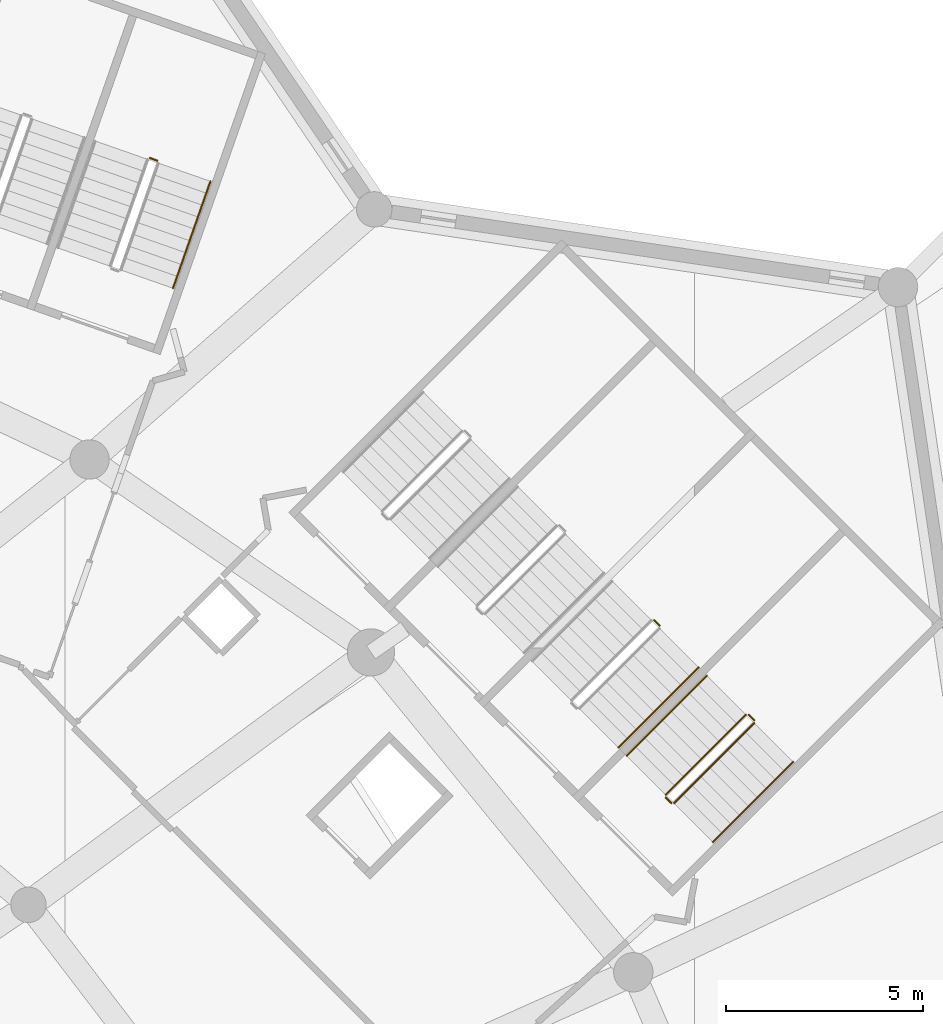
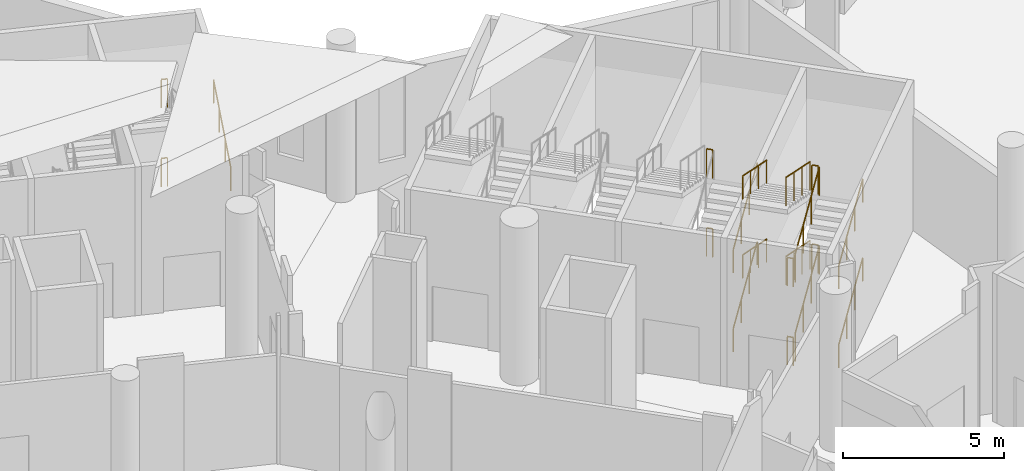
# One storey, part 249 of 249: 19 railings.
"""IFC4 building model written with IfcOpenShell, lengths in metres."""

from ifc_helpers import new_model, si_unit, direction, frame, origin, origin_2d, place, context, subcontext, project, spatial, circle, extrude, material, type_object, element, save


model = new_model("IFC4")

# Units and contexts
model_context = context("Model", 3, precision=1e-05, world=origin(), true_north=direction((0.0, 1.0)))
body_context = subcontext(model_context, "Body", "Model", "MODEL_VIEW")
ifc_project = project(units=[si_unit("LENGTHUNIT", "METRE"), si_unit("AREAUNIT", "SQUARE_METRE"), si_unit("VOLUMEUNIT", "CUBIC_METRE"), si_unit("PLANEANGLEUNIT", "RADIAN"), si_unit("MASSUNIT", "GRAM", prefix="KILO")], contexts=[model_context])

# Site, building, storey
site_placement = place(None, origin())
site = spatial("IfcSite", under=ifc_project, at=site_placement, CompositionType="ELEMENT")
building_placement = place(site_placement, origin())
building = spatial("IfcBuilding", under=site, at=building_placement, Name="Meseta Stadium", CompositionType="ELEMENT")
storey_placement = place(building_placement, frame((0.0, 0.0, 12.0)))
storey = spatial("IfcBuildingStorey", under=building, at=storey_placement, Name="L02", CompositionType="ELEMENT", Elevation=12.0)

# Railings
ifc_material_1 = material(Name="Steel S355", Category="steel")
railing_type_1 = type_object("IfcRailingType", Name="Stair guard 1100", PredefinedType="GUARDRAIL", material=ifc_material_1)
railing_1_placement = place(storey_placement, frame((79.4814453125, 76.056884765625, 0.14990234375)))
element("IfcRailing", 1, at=railing_1_placement, inside=storey, type_object=railing_type_1, Name="ST25 L02 guard 1", PredefinedType="GUARDRAIL", context=body_context, shape_type="SweptSolid", body=[
    extrude(circle(Radius=0.02392578125, at=origin_2d()), frame((0.0, 0.0, 1.076171875), z_axis=(0.640287970486, 0.640211215754, 0.424453665402), x_axis=(-0.707064395047, 0.707149164786, 0.0)), (0.0, 0.0, 1.0), 3.180908203125),
    extrude(circle(Radius=0.02099609375, at=origin_2d()), origin(), (0.0, 0.0, 1.0), 1.052001953125),
    extrude(circle(Radius=0.02099609375, at=origin_2d()), frame((0.678955078125, 0.6787109375, 0.449951171875)), (0.0, 0.0, 1.0), 1.052001953125),
    extrude(circle(Radius=0.02099609375, at=origin_2d()), frame((1.357666015625, 1.357666015625, 0.900146484375)), (0.0, 0.0, 1.0), 1.052001953125),
    extrude(circle(Radius=0.02099609375, at=origin_2d()), frame((2.03662109375, 2.036376953125, 1.35009765625)), (0.0, 0.0, 1.0), 1.052001953125),
])
railing_2_placement = place(storey_placement, frame((81.51806640625, 78.1640625, 1.5)))
element("IfcRailing", 2, at=railing_2_placement, inside=storey, type_object=railing_type_1, Name="ST25 L02 guard 2", PredefinedType="GUARDRAIL", context=body_context, shape_type="SweptSolid", body=[
    extrude(circle(Radius=0.02392578125, at=origin_2d()), frame((0.0, 0.0, 1.076171875), z_axis=(-0.707716618519, 0.706496417452, 0.0), x_axis=(-0.706496417452, -0.707716618519, 0.0)), (0.0, 0.0, 1.0), 0.2001953125),
    extrude(circle(Radius=0.02099609375, at=origin_2d()), origin(), (0.0, 0.0, 1.0), 1.052001953125),
    extrude(circle(Radius=0.02099609375, at=origin_2d()), frame((-0.1416015625, 0.141357421875, 0.0)), (0.0, 0.0, 1.0), 1.052001953125),
])
railing_3_placement = place(storey_placement, frame((81.305908203125, 78.305419921875, 1.64990234375)))
element("IfcRailing", 3, at=railing_3_placement, inside=storey, type_object=railing_type_1, Name="ST25 L02 guard 3", PredefinedType="GUARDRAIL", context=body_context, shape_type="SweptSolid", body=[
    extrude(circle(Radius=0.02392578125, at=origin_2d()), frame((0.0, 0.0, 1.076171875), z_axis=(-0.640287970486, -0.640211215754, 0.424453665402), x_axis=(0.707064395047, -0.707149164786, 0.0)), (0.0, 0.0, 1.0), 3.180908203125),
    extrude(circle(Radius=0.02099609375, at=origin_2d()), origin(), (0.0, 0.0, 1.0), 1.052001953125),
    extrude(circle(Radius=0.02099609375, at=origin_2d()), frame((-0.678955078125, -0.6787109375, 0.449951171875)), (0.0, 0.0, 1.0), 1.052001953125),
    extrude(circle(Radius=0.02099609375, at=origin_2d()), frame((-1.357666015625, -1.357666015625, 0.900146484375)), (0.0, 0.0, 1.0), 1.052001953125),
    extrude(circle(Radius=0.02099609375, at=origin_2d()), frame((-2.03662109375, -2.036376953125, 1.35009765625)), (0.0, 0.0, 1.0), 1.052001953125),
])
railing_4_placement = place(storey_placement, frame((79.410888671875, 76.056884765625, 3.0)))
element("IfcRailing", 4, at=railing_4_placement, inside=storey, type_object=railing_type_1, Name="ST25 L02 guard 4", PredefinedType="GUARDRAIL", context=body_context, shape_type="SweptSolid", body=[
    extrude(circle(Radius=0.02392578125, at=origin_2d()), frame((0.0, 0.0, 1.076171875), z_axis=(-0.707716618519, 0.706496417452, 0.0), x_axis=(-0.706496417452, -0.707716618519, 0.0)), (0.0, 0.0, 1.0), 0.2001953125),
    extrude(circle(Radius=0.02099609375, at=origin_2d()), origin(), (0.0, 0.0, 1.0), 1.052001953125),
    extrude(circle(Radius=0.02099609375, at=origin_2d()), frame((-0.1416015625, 0.141357421875, 0.0)), (0.0, 0.0, 1.0), 1.052001953125),
])
railing_5_placement = place(storey_placement, frame((79.4814453125, 76.056884765625, 3.14990234375)))
element("IfcRailing", 5, at=railing_5_placement, inside=storey, type_object=railing_type_1, Name="ST25 L02 guard 5", PredefinedType="GUARDRAIL", context=body_context, shape_type="SweptSolid", body=[
    extrude(circle(Radius=0.02392578125, at=origin_2d()), frame((0.0, 0.0, 1.076171875), z_axis=(0.640287970486, 0.640211215754, 0.424453665402), x_axis=(-0.707064395047, 0.707149164786, 0.0)), (0.0, 0.0, 1.0), 3.180908203125),
    extrude(circle(Radius=0.02099609375, at=origin_2d()), origin(), (0.0, 0.0, 1.0), 1.052001953125),
    extrude(circle(Radius=0.02099609375, at=origin_2d()), frame((0.678955078125, 0.6787109375, 0.449951171875)), (0.0, 0.0, 1.0), 1.052001953125),
    extrude(circle(Radius=0.02099609375, at=origin_2d()), frame((1.357666015625, 1.357666015625, 0.900146484375)), (0.0, 0.0, 1.0), 1.052001953125),
    extrude(circle(Radius=0.02099609375, at=origin_2d()), frame((2.03662109375, 2.036376953125, 1.35009765625)), (0.0, 0.0, 1.0), 1.052001953125),
])
railing_6_placement = place(storey_placement, frame((81.51806640625, 78.1640625, 4.5)))
element("IfcRailing", 6, at=railing_6_placement, inside=storey, type_object=railing_type_1, Name="ST25 L02 guard 6", PredefinedType="GUARDRAIL", context=body_context, shape_type="SweptSolid", body=[
    extrude(circle(Radius=0.02392578125, at=origin_2d()), frame((0.0, 0.0, 1.076171875), z_axis=(-0.707716618519, 0.706496417452, 0.0), x_axis=(-0.706496417452, -0.707716618519, 0.0)), (0.0, 0.0, 1.0), 0.2001953125),
    extrude(circle(Radius=0.02099609375, at=origin_2d()), origin(), (0.0, 0.0, 1.0), 1.052001953125),
    extrude(circle(Radius=0.02099609375, at=origin_2d()), frame((-0.1416015625, 0.141357421875, 0.0)), (0.0, 0.0, 1.0), 1.052001953125),
])
railing_7_placement = place(storey_placement, frame((81.305908203125, 78.305419921875, 4.64990234375)))
element("IfcRailing", 7, at=railing_7_placement, inside=storey, type_object=railing_type_1, Name="ST25 L02 guard 7", PredefinedType="GUARDRAIL", context=body_context, shape_type="SweptSolid", body=[
    extrude(circle(Radius=0.02392578125, at=origin_2d()), frame((0.0, 0.0, 1.076171875), z_axis=(-0.640287970486, -0.640211215754, 0.424453665402), x_axis=(0.707064395047, -0.707149164786, 0.0)), (0.0, 0.0, 1.0), 3.180908203125),
    extrude(circle(Radius=0.02099609375, at=origin_2d()), origin(), (0.0, 0.0, 1.0), 1.052001953125),
    extrude(circle(Radius=0.02099609375, at=origin_2d()), frame((-0.678955078125, -0.6787109375, 0.449951171875)), (0.0, 0.0, 1.0), 1.052001953125),
    extrude(circle(Radius=0.02099609375, at=origin_2d()), frame((-1.357666015625, -1.357666015625, 0.900146484375)), (0.0, 0.0, 1.0), 1.052001953125),
    extrude(circle(Radius=0.02099609375, at=origin_2d()), frame((-2.03662109375, -2.036376953125, 1.35009765625)), (0.0, 0.0, 1.0), 1.052001953125),
])
railing_8_placement = place(storey_placement, frame((79.410888671875, 76.056884765625, 0.0)))
element("IfcRailing", 8, at=railing_8_placement, inside=storey, type_object=railing_type_1, Name="ST25 L02 guard 8", PredefinedType="GUARDRAIL", context=body_context, shape_type="SweptSolid", body=[
    extrude(circle(Radius=0.02392578125, at=origin_2d()), frame((0.0, 0.0, 1.076171875), z_axis=(-0.707716618519, 0.706496417452, 0.0), x_axis=(-0.706496417452, -0.707716618519, 0.0)), (0.0, 0.0, 1.0), 0.2001953125),
    extrude(circle(Radius=0.02099609375, at=origin_2d()), origin(), (0.0, 0.0, 1.0), 1.052001953125),
    extrude(circle(Radius=0.02099609375, at=origin_2d()), frame((-0.1416015625, 0.141357421875, 0.0)), (0.0, 0.0, 1.0), 1.052001953125),
])
for number, where, name in (
    (9, (79.11376953125, 80.568115234375, 1.5), "ST26 L02 guard 2"),
    (10, (79.11376953125, 80.568115234375, 4.5), "ST26 L02 guard 6"),
):
    element("IfcRailing", number, at=place(storey_placement, frame(where)), inside=storey, type_object=railing_type_1, Name=name, PredefinedType="GUARDRAIL", context=body_context, shape_type="SweptSolid", body=[
        extrude(circle(Radius=0.02392578125, at=origin_2d()), frame((0.0, 0.0, 1.076171875), z_axis=(-0.706496417452, 0.707716618519, 0.0), x_axis=(-0.707716618519, -0.706496417452, 0.0)), (0.0, 0.0, 1.0), 0.2001953125),
        extrude(circle(Radius=0.02099609375, at=origin_2d()), origin(), (0.0, 0.0, 1.0), 1.052001953125),
        extrude(circle(Radius=0.02099609375, at=origin_2d()), frame((-0.141357421875, 0.1416015625, 0.0)), (0.0, 0.0, 1.0), 1.052001953125),
    ])
for number, where, name in (
    (11, (66.342041015625, 92.39013671875, 1.5), "ST29 L02 guard 2"),
    (12, (66.342041015625, 92.39013671875, 4.5), "ST29 L02 guard 6"),
):
    element("IfcRailing", number, at=place(storey_placement, frame(where)), inside=storey, type_object=railing_type_1, Name=name, PredefinedType="GUARDRAIL", context=body_context, shape_type="SweptSolid", body=[
        extrude(circle(Radius=0.02392578125, at=origin_2d()), frame((0.0, 0.0, 1.076171875), z_axis=(-0.943686935281, 0.330839792317, 0.0), x_axis=(-0.330839792317, -0.943686935281, 0.0)), (0.0, 0.0, 1.0), 0.199951171875),
        extrude(circle(Radius=0.02099609375, at=origin_2d()), origin(), (0.0, 0.0, 1.0), 1.052001953125),
        extrude(circle(Radius=0.02099609375, at=origin_2d()), frame((-0.188720703125, 0.066162109375, 0.0)), (0.0, 0.0, 1.0), 1.052001953125),
    ])
ifc_material_2 = material(Name="Steel S355", Category="steel")
railing_type_2 = type_object("IfcRailingType", Name="Stair handrail 900", PredefinedType="HANDRAIL", material=ifc_material_2)
railing_9_placement = place(storey_placement, frame((80.471435546875, 75.06689453125, 0.14990234375)))
element("IfcRailing", 13, at=railing_9_placement, inside=storey, type_object=railing_type_2, Name="ST25 L02 handrail 1", PredefinedType="HANDRAIL", context=body_context, shape_type="SweptSolid", body=[
    extrude(circle(Radius=0.02392578125, at=origin_2d()), frame((0.0, 0.0, 0.8759765625), z_axis=(0.640211215754, 0.640287970486, 0.424453665402), x_axis=(-0.707149164786, 0.707064395047, 0.0)), (0.0, 0.0, 1.0), 3.180908203125),
    extrude(circle(Radius=0.02099609375, at=origin_2d()), origin(), (0.0, 0.0, 1.0), 0.851806640625),
    extrude(circle(Radius=0.02099609375, at=origin_2d()), frame((0.6787109375, 0.678955078125, 0.449951171875)), (0.0, 0.0, 1.0), 0.851806640625),
    extrude(circle(Radius=0.02099609375, at=origin_2d()), frame((1.357666015625, 1.357666015625, 0.900146484375)), (0.0, 0.0, 1.0), 0.851806640625),
    extrude(circle(Radius=0.02099609375, at=origin_2d()), frame((2.036376953125, 2.03662109375, 1.35009765625)), (0.0, 0.0, 1.0), 0.851806640625),
])
railing_10_placement = place(storey_placement, frame((80.31591796875, 79.29541015625, 1.64990234375)))
element("IfcRailing", 14, at=railing_10_placement, inside=storey, type_object=railing_type_2, Name="ST25 L02 handrail 2", PredefinedType="HANDRAIL", context=body_context, shape_type="SweptSolid", body=[
    extrude(circle(Radius=0.02392578125, at=origin_2d()), frame((0.0, 0.0, 0.8759765625), z_axis=(-0.640242679452, -0.640242679452, 0.424474525521), x_axis=(0.707106781187, -0.707106781187, 0.0)), (0.0, 0.0, 1.0), 3.1806640625),
    extrude(circle(Radius=0.02099609375, at=origin_2d()), origin(), (0.0, 0.0, 1.0), 0.851806640625),
    extrude(circle(Radius=0.02099609375, at=origin_2d()), frame((-0.6787109375, -0.6787109375, 0.449951171875)), (0.0, 0.0, 1.0), 0.851806640625),
    extrude(circle(Radius=0.02099609375, at=origin_2d()), frame((-1.357666015625, -1.357666015625, 0.900146484375)), (0.0, 0.0, 1.0), 0.851806640625),
    extrude(circle(Radius=0.02099609375, at=origin_2d()), frame((-2.036376953125, -2.036376953125, 1.35009765625)), (0.0, 0.0, 1.0), 0.851806640625),
])
railing_11_placement = place(storey_placement, frame((80.471435546875, 75.06689453125, 3.14990234375)))
element("IfcRailing", 15, at=railing_11_placement, inside=storey, type_object=railing_type_2, Name="ST25 L02 handrail 3", PredefinedType="HANDRAIL", context=body_context, shape_type="SweptSolid", body=[
    extrude(circle(Radius=0.02392578125, at=origin_2d()), frame((0.0, 0.0, 0.8759765625), z_axis=(0.640211215754, 0.640287970486, 0.424453665402), x_axis=(-0.707149164786, 0.707064395047, 0.0)), (0.0, 0.0, 1.0), 3.180908203125),
    extrude(circle(Radius=0.02099609375, at=origin_2d()), origin(), (0.0, 0.0, 1.0), 0.851806640625),
    extrude(circle(Radius=0.02099609375, at=origin_2d()), frame((0.6787109375, 0.678955078125, 0.449951171875)), (0.0, 0.0, 1.0), 0.851806640625),
    extrude(circle(Radius=0.02099609375, at=origin_2d()), frame((1.357666015625, 1.357666015625, 0.900146484375)), (0.0, 0.0, 1.0), 0.851806640625),
    extrude(circle(Radius=0.02099609375, at=origin_2d()), frame((2.036376953125, 2.03662109375, 1.35009765625)), (0.0, 0.0, 1.0), 0.851806640625),
])
railing_12_placement = place(storey_placement, frame((80.31591796875, 79.29541015625, 4.64990234375)))
element("IfcRailing", 16, at=railing_12_placement, inside=storey, type_object=railing_type_2, Name="ST25 L02 handrail 4", PredefinedType="HANDRAIL", context=body_context, shape_type="SweptSolid", body=[
    extrude(circle(Radius=0.02392578125, at=origin_2d()), frame((0.0, 0.0, 0.8759765625), z_axis=(-0.640242679452, -0.640242679452, 0.424474525521), x_axis=(0.707106781187, -0.707106781187, 0.0)), (0.0, 0.0, 1.0), 3.1806640625),
    extrude(circle(Radius=0.02099609375, at=origin_2d()), origin(), (0.0, 0.0, 1.0), 0.851806640625),
    extrude(circle(Radius=0.02099609375, at=origin_2d()), frame((-0.6787109375, -0.6787109375, 0.449951171875)), (0.0, 0.0, 1.0), 0.851806640625),
    extrude(circle(Radius=0.02099609375, at=origin_2d()), frame((-1.357666015625, -1.357666015625, 0.900146484375)), (0.0, 0.0, 1.0), 0.851806640625),
    extrude(circle(Radius=0.02099609375, at=origin_2d()), frame((-2.036376953125, -2.036376953125, 1.35009765625)), (0.0, 0.0, 1.0), 0.851806640625),
])
for number, where, name in (
    (17, (78.0673828125, 77.47119140625, 0.14990234375), "ST26 L02 handrail 1"),
    (18, (78.0673828125, 77.47119140625, 3.14990234375), "ST26 L02 handrail 3"),
):
    element("IfcRailing", number, at=place(storey_placement, frame(where)), inside=storey, type_object=railing_type_2, Name=name, PredefinedType="HANDRAIL", context=body_context, shape_type="SweptSolid", body=[
        extrude(circle(Radius=0.02392578125, at=origin_2d()), frame((0.0, 0.0, 0.8759765625), z_axis=(0.640242679452, 0.640242679452, 0.424474525521), x_axis=(-0.707106781187, 0.707106781187, 0.0)), (0.0, 0.0, 1.0), 3.1806640625),
        extrude(circle(Radius=0.02099609375, at=origin_2d()), origin(), (0.0, 0.0, 1.0), 0.851806640625),
        extrude(circle(Radius=0.02099609375, at=origin_2d()), frame((0.6787109375, 0.6787109375, 0.449951171875)), (0.0, 0.0, 1.0), 0.851806640625),
        extrude(circle(Radius=0.02099609375, at=origin_2d()), frame((1.357666015625, 1.357666015625, 0.900146484375)), (0.0, 0.0, 1.0), 0.851806640625),
        extrude(circle(Radius=0.02099609375, at=origin_2d()), frame((2.036376953125, 2.036376953125, 1.35009765625)), (0.0, 0.0, 1.0), 0.851806640625),
    ])
railing_13_placement = place(storey_placement, frame((66.7431640625, 89.145751953125, 3.14990234375)))
element("IfcRailing", 19, at=railing_13_placement, inside=storey, type_object=railing_type_2, Name="ST29 L02 handrail 3", PredefinedType="HANDRAIL", context=body_context, shape_type="SweptSolid", body=[
    extrude(circle(Radius=0.02392578125, at=origin_2d()), frame((0.0, 0.0, 0.8759765625), z_axis=(0.299050945451, 0.854628651604, 0.424474262922), x_axis=(-0.943882143717, 0.33028245302, 0.0)), (0.0, 0.0, 1.0), 3.1806640625),
    extrude(circle(Radius=0.02099609375, at=origin_2d()), origin(), (0.0, 0.0, 1.0), 0.851806640625),
    extrude(circle(Radius=0.02099609375, at=origin_2d()), frame((0.317138671875, 0.906005859375, 0.449951171875)), (0.0, 0.0, 1.0), 0.851806640625),
    extrude(circle(Radius=0.02099609375, at=origin_2d()), frame((0.634033203125, 1.812255859375, 0.900146484375)), (0.0, 0.0, 1.0), 0.851806640625),
    extrude(circle(Radius=0.02099609375, at=origin_2d()), frame((0.951171875, 2.71826171875, 1.35009765625)), (0.0, 0.0, 1.0), 0.851806640625),
])

save(model, "model.ifc")
